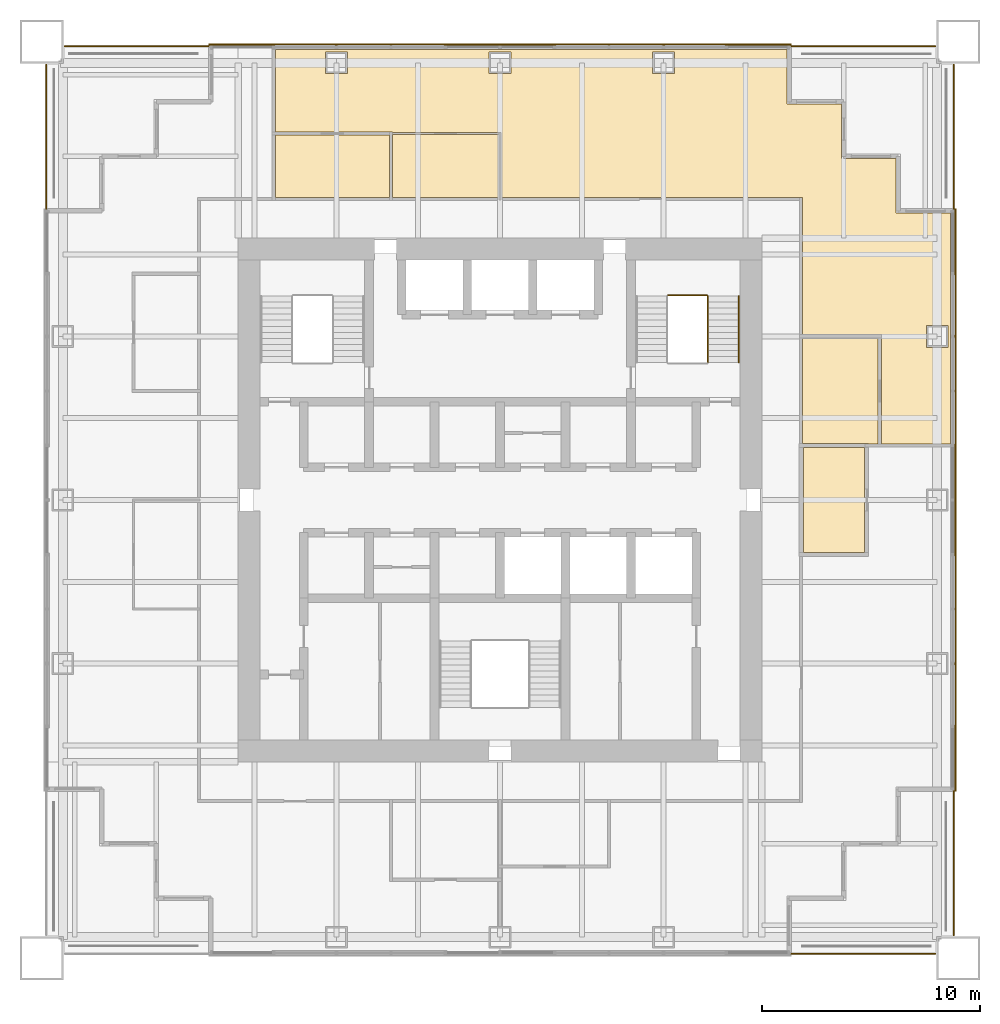
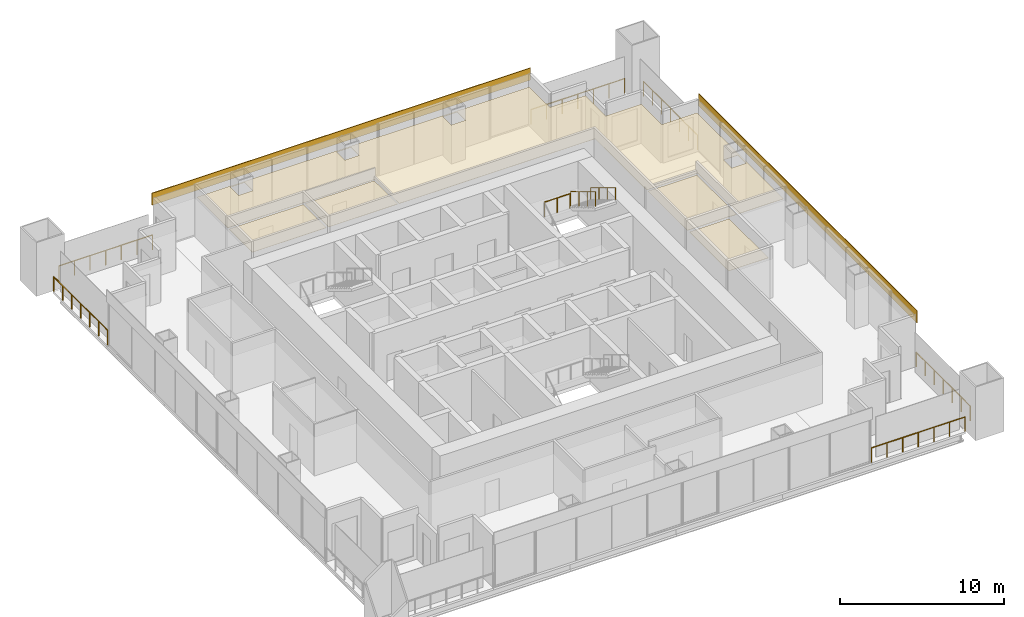
# One storey, part 14 of 14: 9 railings, 7 coverings.
"""IFC4 building model written with IfcOpenShell, lengths in metres."""

from ifc_helpers import new_model, si_unit, direction, frame, origin, origin_2d, place, context, subcontext, project, spatial, polyline, rectangle, circle, outline, extrude, material, layer, layer_set, type_object, element, save


model = new_model("IFC4")

# Units and contexts
model_context = context("Model", 3, precision=1e-05, world=origin(), true_north=direction((0.0, 1.0)))
body_context = subcontext(model_context, "Body", "Model", "MODEL_VIEW")
ifc_project = project(units=[si_unit("LENGTHUNIT", "METRE"), si_unit("AREAUNIT", "SQUARE_METRE"), si_unit("VOLUMEUNIT", "CUBIC_METRE"), si_unit("PLANEANGLEUNIT", "RADIAN"), si_unit("MASSUNIT", "GRAM", prefix="KILO")], contexts=[model_context])

# Site, building, storey
site_placement = place(None, origin())
site = spatial("IfcSite", under=ifc_project, at=site_placement, CompositionType="ELEMENT")
building_placement = place(site_placement, origin())
building = spatial("IfcBuilding", under=site, at=building_placement, Name="Tarangal Relay Tower", CompositionType="ELEMENT")
storey_placement = place(building_placement, frame((0.0, 0.0, 271.89990234375)))
storey = spatial("IfcBuildingStorey", under=building, at=storey_placement, Name="L59", CompositionType="ELEMENT", Elevation=271.89990234375)

# Coverings
ifc_material_1 = material(Name="Black anodised aluminium cladding", Category="aluminium")
ifc_layer_1 = layer(ifc_material_1, 0.050048828125)
ifc_layer_set_1 = layer_set([ifc_layer_1], Name="Black metal spandrel band")
covering_type_1 = type_object("IfcCoveringType", Name="Black metal spandrel band", PredefinedType="CLADDING", material=ifc_layer_set_1)
for number, where, z_axis, x_axis, name in (
    (1, (0.0, 20.875, 3.250244140625), (0.0, 0.0, 1.0), (1.0, 0.0, 0.0), "Spandrel band SB1 N L59"),
    (2, (20.875, 0.0, 3.250244140625), (0.0, 0.0, 1.0), (0.0, -1.0, 0.0), "Spandrel band SB1 E L59"),
):
    element("IfcCovering", number, at=place(storey_placement, frame(where, z_axis=z_axis, x_axis=x_axis)), inside=storey, type_object=covering_type_1, Name=name, PredefinedType="CLADDING", context=body_context, shape_type="SweptSolid", body=[
        extrude(rectangle(XDim=26.699951171875, YDim=0.050048828125, at=origin_2d()), origin(), (0.0, 0.0, 1.0), 0.89990234375),
    ])

# Railings
ifc_material_2 = material(Name="Steel guard, black finish", Category="steel")
railing_type_1 = type_object("IfcRailingType", Name="Stair guard 1100", PredefinedType="GUARDRAIL", material=ifc_material_2)
railing_1_placement = place(storey_placement, frame((9.530029296875, 9.346923828125, 2.166748046875)))
element("IfcRailing", 3, at=railing_1_placement, inside=storey, type_object=railing_type_1, Name="Stair ST-B guard GR1 L59 flight 2", PredefinedType="GUARDRAIL", context=body_context, shape_type="SweptSolid", body=[
    extrude(circle(Radius=0.02392578125, at=origin_2d()), frame((0.0, 0.0, 1.076171875), z_axis=(0.0, -0.85685617095, 0.515555527858), x_axis=(1.0, 0.0, 0.0)), (0.0, 0.0, 1.0), 3.555908203125),
    extrude(circle(Radius=0.02099609375, at=origin_2d()), origin(), (0.0, 0.0, 1.0), 1.052001953125),
    extrude(circle(Radius=0.02099609375, at=origin_2d()), frame((0.0, -1.015625, 0.611083984375)), (0.0, 0.0, 1.0), 1.052001953125),
    extrude(circle(Radius=0.02099609375, at=origin_2d()), frame((0.0, -2.03125, 1.22216796875)), (0.0, 0.0, 1.0), 1.052001953125),
    extrude(circle(Radius=0.02099609375, at=origin_2d()), frame((0.0, -3.046875, 1.833251953125)), (0.0, 0.0, 1.0), 1.052001953125),
])
railing_2_placement = place(storey_placement, frame((7.699951171875, 9.376953125, 2.0)))
element("IfcRailing", 4, at=railing_2_placement, inside=storey, type_object=railing_type_1, Name="Stair ST-B landing guard GR1 L59", PredefinedType="GUARDRAIL", context=body_context, shape_type="SweptSolid", body=[
    extrude(circle(Radius=0.02392578125, at=origin_2d()), frame((0.0, 0.0, 1.076171875), z_axis=(1.0, 0.0, 0.0), x_axis=(0.0, 1.0, 0.0)), (0.0, 0.0, 1.0), 1.800048828125),
    extrude(circle(Radius=0.02099609375, at=origin_2d()), origin(), (0.0, 0.0, 1.0), 1.052001953125),
    extrude(circle(Radius=0.02099609375, at=origin_2d()), frame((0.89990234375, 0.0, 0.0)), (0.0, 0.0, 1.0), 1.052001953125),
    extrude(circle(Radius=0.02099609375, at=origin_2d()), frame((1.800048828125, 0.0, 0.0)), (0.0, 0.0, 1.0), 1.052001953125),
])
ifc_material_3 = material(Name="Steel handrail, black finish", Category="steel")
railing_type_2 = type_object("IfcRailingType", Name="Stair handrail 900", PredefinedType="HANDRAIL", material=ifc_material_3)
railing_3_placement = place(storey_placement, frame((10.93994140625, 9.346923828125, 2.166748046875)))
element("IfcRailing", 5, at=railing_3_placement, inside=storey, type_object=railing_type_2, Name="Stair ST-B handrail HR1 L59 flight 2", PredefinedType="HANDRAIL", context=body_context, shape_type="SweptSolid", body=[
    extrude(circle(Radius=0.02392578125, at=origin_2d()), frame((0.0, 0.0, 0.8759765625), z_axis=(0.0, -0.85685617095, 0.515555527858), x_axis=(1.0, 0.0, 0.0)), (0.0, 0.0, 1.0), 3.555908203125),
    extrude(circle(Radius=0.02099609375, at=origin_2d()), origin(), (0.0, 0.0, 1.0), 0.851806640625),
    extrude(circle(Radius=0.02099609375, at=origin_2d()), frame((0.0, -1.015625, 0.611083984375)), (0.0, 0.0, 1.0), 0.851806640625),
    extrude(circle(Radius=0.02099609375, at=origin_2d()), frame((0.0, -2.03125, 1.22216796875)), (0.0, 0.0, 1.0), 0.851806640625),
    extrude(circle(Radius=0.02099609375, at=origin_2d()), frame((0.0, -3.046875, 1.833251953125)), (0.0, 0.0, 1.0), 0.851806640625),
])

# Coverings
ifc_material_4 = material(Name="Mineral fibre ceiling tiles", Category="gypsum")
ifc_layer_2 = layer(ifc_material_4, 0.02001953125)
ifc_layer_set_2 = layer_set([ifc_layer_2], Name="Suspended ceiling")
covering_type_2 = type_object("IfcCoveringType", Name="Suspended ceiling", PredefinedType="CEILING", material=ifc_layer_set_2)
covering_1_placement = place(storey_placement, frame((0.0, 0.0, 2.900146484375)))
element("IfcCovering", 6, at=covering_1_placement, inside=storey, type_object=covering_type_2, Name="Suspended ceiling CL1 L59-02", PredefinedType="CEILING", context=body_context, shape_type="SweptSolid", body=[
    extrude(outline(polyline([(-10.300048828125, 16.72509765625), (-10.300048828125, 13.875), (-5.074951171875, 13.875), (-5.074951171875, 16.72509765625), (-10.300048828125, 16.72509765625)])), origin(), (0.0, 0.0, 1.0), 0.02001953125),
])
covering_2_placement = place(storey_placement, frame((0.0, 0.0, 2.900146484375)))
element("IfcCovering", 7, at=covering_2_placement, inside=storey, type_object=covering_type_2, Name="Suspended ceiling CL1 L59-03", PredefinedType="CEILING", context=body_context, shape_type="SweptSolid", body=[
    extrude(outline(polyline([(-4.925048828125, 16.75), (-4.925048828125, 13.875), (-0.050048828125, 13.875), (-0.050048828125, 16.75), (-4.925048828125, 16.75)])), origin(), (0.0, 0.0, 1.0), 0.02001953125),
])
covering_3_placement = place(storey_placement, frame((0.0, 0.0, 2.900146484375)))
element("IfcCovering", 8, at=covering_3_placement, inside=storey, type_object=covering_type_2, Name="Suspended ceiling CL1 L59-04", PredefinedType="CEILING", context=body_context, shape_type="SweptSolid", body=[
    extrude(outline(polyline([(16.89990234375, 2.574951171875), (17.324951171875, 2.574951171875), (17.324951171875, 7.425048828125), (13.875, 7.425048828125), (13.875, 2.60009765625), (16.89990234375, 2.60009765625), (16.89990234375, 2.574951171875)])), origin(), (0.0, 0.0, 1.0), 0.02001953125),
])
covering_4_placement = place(storey_placement, frame((0.0, 0.0, 2.900146484375)))
element("IfcCovering", 9, at=covering_4_placement, inside=storey, type_object=covering_type_2, Name="Suspended ceiling CL1 L59-05", PredefinedType="CEILING", context=body_context, shape_type="SweptSolid", body=[
    extrude(outline(polyline([(16.699951171875, -2.39990234375), (16.699951171875, 2.39990234375), (13.89990234375, 2.39990234375), (13.89990234375, -2.39990234375), (16.699951171875, -2.39990234375)])), origin(), (0.0, 0.0, 1.0), 0.02001953125),
])
covering_5_placement = place(storey_placement, frame((0.0, 0.0, 2.900146484375)))
element("IfcCovering", 10, at=covering_5_placement, inside=storey, type_object=covering_type_2, Name="Suspended ceiling CL1 L59-10", PredefinedType="CEILING", context=body_context, shape_type="SweptSolid", body=[
    extrude(outline(polyline([(13.14990234375, 20.64990234375), (-10.300048828125, 20.64990234375), (-10.300048828125, 16.875), (-4.925048828125, 16.875), (-4.925048828125, 16.85009765625), (0.050048828125, 16.85009765625), (0.050048828125, 13.875), (13.875, 13.875), (13.875, 7.574951171875), (17.47509765625, 7.574951171875), (17.47509765625, 2.574951171875), (20.64990234375, 2.574951171875), (20.64990234375, 13.14990234375), (18.14990234375, 13.14990234375), (18.14990234375, 15.64990234375), (15.64990234375, 15.64990234375), (15.64990234375, 18.14990234375), (13.14990234375, 18.14990234375), (13.14990234375, 20.64990234375)]), holes=[polyline([(19.5400390625, 7.0), (20.5400390625, 7.0), (20.5400390625, 8.0), (19.5400390625, 8.0), (19.5400390625, 7.0)]), polyline([(-8.0, 19.5400390625), (-7.0, 19.5400390625), (-7.0, 20.5400390625), (-8.0, 20.5400390625), (-8.0, 19.5400390625)]), polyline([(-0.5, 19.5400390625), (0.5, 19.5400390625), (0.5, 20.5400390625), (-0.5, 20.5400390625), (-0.5, 19.5400390625)]), polyline([(7.0, 19.5400390625), (8.0, 19.5400390625), (8.0, 20.5400390625), (7.0, 20.5400390625), (7.0, 19.5400390625)])]), origin(), (0.0, 0.0, 1.0), 0.02001953125),
])

# Railings
ifc_material_5 = material(Name="Black steel guard with glass infill", Category="steel")
railing_type_3 = type_object("IfcRailingType", Name="Terrace guard 1100", PredefinedType="GUARDRAIL", material=ifc_material_5)
railing_4_placement = place(storey_placement, frame((13.35009765625, 20.800048828125, 0.0)))
element("IfcRailing", 11, at=railing_4_placement, inside=storey, type_object=railing_type_3, Name="Terrace guard GR2 NE L59", PredefinedType="GUARDRAIL", context=body_context, shape_type="SweptSolid", body=[
    extrude(circle(Radius=0.02392578125, at=origin_2d()), frame((0.0, 0.0, 1.076171875), z_axis=(1.0, 0.0, 0.0), x_axis=(0.0, 1.0, 0.0)), (0.0, 0.0, 1.0), 6.599853515625),
    extrude(circle(Radius=0.02099609375, at=origin_2d()), origin(), (0.0, 0.0, 1.0), 1.052001953125),
    extrude(circle(Radius=0.02099609375, at=origin_2d()), frame((1.10009765625, 0.0, 0.0)), (0.0, 0.0, 1.0), 1.052001953125),
    extrude(circle(Radius=0.02099609375, at=origin_2d()), frame((2.199951171875, 0.0, 0.0)), (0.0, 0.0, 1.0), 1.052001953125),
    extrude(circle(Radius=0.02099609375, at=origin_2d()), frame((3.2998046875, 0.0, 0.0)), (0.0, 0.0, 1.0), 1.052001953125),
    extrude(circle(Radius=0.02099609375, at=origin_2d()), frame((4.39990234375, 0.0, 0.0)), (0.0, 0.0, 1.0), 1.052001953125),
    extrude(circle(Radius=0.02099609375, at=origin_2d()), frame((5.5, 0.0, 0.0)), (0.0, 0.0, 1.0), 1.052001953125),
    extrude(circle(Radius=0.02099609375, at=origin_2d()), frame((6.599853515625, 0.0, 0.0)), (0.0, 0.0, 1.0), 1.052001953125),
])
for number, where, name in (
    (12, (20.800048828125, 19.949951171875, 0.0), "Terrace guard GR2 NE L59"),
    (13, (20.800048828125, -13.35009765625, 0.0), "Terrace guard GR2 SE L59"),
):
    element("IfcRailing", number, at=place(storey_placement, frame(where)), inside=storey, type_object=railing_type_3, Name=name, PredefinedType="GUARDRAIL", context=body_context, shape_type="SweptSolid", body=[
        extrude(circle(Radius=0.02392578125, at=origin_2d()), frame((0.0, 0.0, 1.076171875), z_axis=(0.0, -1.0, 0.0), x_axis=(1.0, 0.0, 0.0)), (0.0, 0.0, 1.0), 6.599853515625),
        extrude(circle(Radius=0.02099609375, at=origin_2d()), origin(), (0.0, 0.0, 1.0), 1.052001953125),
        extrude(circle(Radius=0.02099609375, at=origin_2d()), frame((0.0, -1.10009765625, 0.0)), (0.0, 0.0, 1.0), 1.052001953125),
        extrude(circle(Radius=0.02099609375, at=origin_2d()), frame((0.0, -2.199951171875, 0.0)), (0.0, 0.0, 1.0), 1.052001953125),
        extrude(circle(Radius=0.02099609375, at=origin_2d()), frame((0.0, -3.2998046875, 0.0)), (0.0, 0.0, 1.0), 1.052001953125),
        extrude(circle(Radius=0.02099609375, at=origin_2d()), frame((0.0, -4.39990234375, 0.0)), (0.0, 0.0, 1.0), 1.052001953125),
        extrude(circle(Radius=0.02099609375, at=origin_2d()), frame((0.0, -5.5, 0.0)), (0.0, 0.0, 1.0), 1.052001953125),
        extrude(circle(Radius=0.02099609375, at=origin_2d()), frame((0.0, -6.599853515625, 0.0)), (0.0, 0.0, 1.0), 1.052001953125),
    ])
railing_5_placement = place(storey_placement, frame((19.949951171875, -20.800048828125, 0.0)))
element("IfcRailing", 14, at=railing_5_placement, inside=storey, type_object=railing_type_3, Name="Terrace guard GR2 SE L59", PredefinedType="GUARDRAIL", context=body_context, shape_type="SweptSolid", body=[
    extrude(circle(Radius=0.02392578125, at=origin_2d()), frame((0.0, 0.0, 1.076171875), z_axis=(-1.0, 0.0, 0.0), x_axis=(0.0, -1.0, 0.0)), (0.0, 0.0, 1.0), 6.599853515625),
    extrude(circle(Radius=0.02099609375, at=origin_2d()), origin(), (0.0, 0.0, 1.0), 1.052001953125),
    extrude(circle(Radius=0.02099609375, at=origin_2d()), frame((-1.10009765625, 0.0, 0.0)), (0.0, 0.0, 1.0), 1.052001953125),
    extrude(circle(Radius=0.02099609375, at=origin_2d()), frame((-2.199951171875, 0.0, 0.0)), (0.0, 0.0, 1.0), 1.052001953125),
    extrude(circle(Radius=0.02099609375, at=origin_2d()), frame((-3.2998046875, 0.0, 0.0)), (0.0, 0.0, 1.0), 1.052001953125),
    extrude(circle(Radius=0.02099609375, at=origin_2d()), frame((-4.39990234375, 0.0, 0.0)), (0.0, 0.0, 1.0), 1.052001953125),
    extrude(circle(Radius=0.02099609375, at=origin_2d()), frame((-5.5, 0.0, 0.0)), (0.0, 0.0, 1.0), 1.052001953125),
    extrude(circle(Radius=0.02099609375, at=origin_2d()), frame((-6.599853515625, 0.0, 0.0)), (0.0, 0.0, 1.0), 1.052001953125),
])
railing_6_placement = place(storey_placement, frame((-20.800048828125, 13.35009765625, 0.0)))
element("IfcRailing", 15, at=railing_6_placement, inside=storey, type_object=railing_type_3, Name="Terrace guard GR2 NW L59", PredefinedType="GUARDRAIL", context=body_context, shape_type="SweptSolid", body=[
    extrude(circle(Radius=0.02392578125, at=origin_2d()), frame((0.0, 0.0, 1.076171875), z_axis=(0.0, 1.0, 0.0), x_axis=(-1.0, 0.0, 0.0)), (0.0, 0.0, 1.0), 6.599853515625),
    extrude(circle(Radius=0.02099609375, at=origin_2d()), origin(), (0.0, 0.0, 1.0), 1.052001953125),
    extrude(circle(Radius=0.02099609375, at=origin_2d()), frame((0.0, 1.10009765625, 0.0)), (0.0, 0.0, 1.0), 1.052001953125),
    extrude(circle(Radius=0.02099609375, at=origin_2d()), frame((0.0, 2.199951171875, 0.0)), (0.0, 0.0, 1.0), 1.052001953125),
    extrude(circle(Radius=0.02099609375, at=origin_2d()), frame((0.0, 3.2998046875, 0.0)), (0.0, 0.0, 1.0), 1.052001953125),
    extrude(circle(Radius=0.02099609375, at=origin_2d()), frame((0.0, 4.39990234375, 0.0)), (0.0, 0.0, 1.0), 1.052001953125),
    extrude(circle(Radius=0.02099609375, at=origin_2d()), frame((0.0, 5.5, 0.0)), (0.0, 0.0, 1.0), 1.052001953125),
    extrude(circle(Radius=0.02099609375, at=origin_2d()), frame((0.0, 6.599853515625, 0.0)), (0.0, 0.0, 1.0), 1.052001953125),
])
railing_7_placement = place(storey_placement, frame((-19.949951171875, 20.800048828125, 0.0)))
element("IfcRailing", 16, at=railing_7_placement, inside=storey, type_object=railing_type_3, Name="Terrace guard GR2 NW L59", PredefinedType="GUARDRAIL", context=body_context, shape_type="SweptSolid", body=[
    extrude(circle(Radius=0.02392578125, at=origin_2d()), frame((0.0, 0.0, 1.076171875), z_axis=(1.0, 0.0, 0.0), x_axis=(0.0, 1.0, 0.0)), (0.0, 0.0, 1.0), 6.599853515625),
    extrude(circle(Radius=0.02099609375, at=origin_2d()), origin(), (0.0, 0.0, 1.0), 1.052001953125),
    extrude(circle(Radius=0.02099609375, at=origin_2d()), frame((1.10009765625, 0.0, 0.0)), (0.0, 0.0, 1.0), 1.052001953125),
    extrude(circle(Radius=0.02099609375, at=origin_2d()), frame((2.199951171875, 0.0, 0.0)), (0.0, 0.0, 1.0), 1.052001953125),
    extrude(circle(Radius=0.02099609375, at=origin_2d()), frame((3.2998046875, 0.0, 0.0)), (0.0, 0.0, 1.0), 1.052001953125),
    extrude(circle(Radius=0.02099609375, at=origin_2d()), frame((4.39990234375, 0.0, 0.0)), (0.0, 0.0, 1.0), 1.052001953125),
    extrude(circle(Radius=0.02099609375, at=origin_2d()), frame((5.5, 0.0, 0.0)), (0.0, 0.0, 1.0), 1.052001953125),
    extrude(circle(Radius=0.02099609375, at=origin_2d()), frame((6.599853515625, 0.0, 0.0)), (0.0, 0.0, 1.0), 1.052001953125),
])

save(model, "model.ifc")
